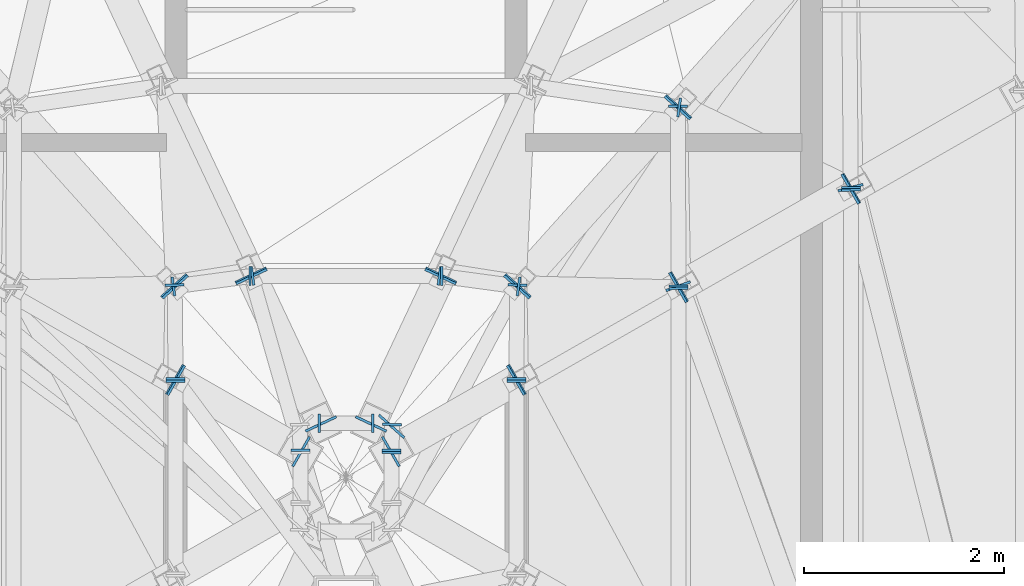
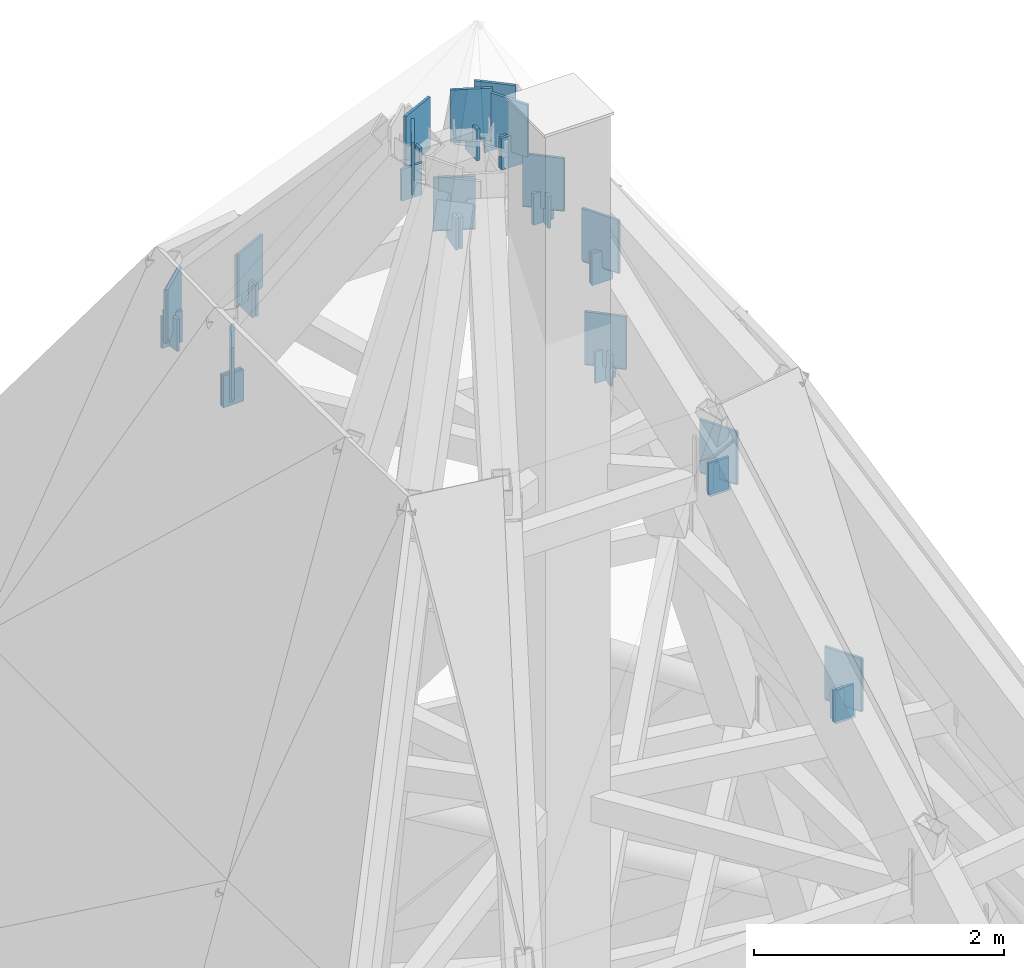
# One storey, part 22 of 30: 49 plates.
"""IFC4 building model written with IfcOpenShell, lengths in metres."""

import ifcopenshell
import ifcopenshell.guid

model = None  # the IFC model being written
_history = None  # IfcOwnerHistory: only IFC2X3 demands one
_inside = {}  # id of a spatial element -> (the spatial element, [elements in it])
_under = {}  # id of a project, library or spatial element -> (it, [spatial elements below it])
_declared = {}  # id of a project -> (the project, [libraries it declares])
_typed = {}  # id of a type object -> (the type object, [elements of that type])
_made_of = {}  # id of a material, layer set ... -> (it, [elements and type objects made of it])


def new_model(schema):
    """Start an empty IFC model of exactly this schema.

    Asked for "IFC4X3", IfcOpenShell would pick the latest addendum, in which some entities
    have other attributes; the version numbers below select the first issue.
    IFC2X3 requires an IfcOwnerHistory on every rooted entity: one is made here for all.
    """
    global model, _history
    if schema == "IFC4X3":
        model = ifcopenshell.file(schema_version=(4, 3, 0, 0))
    else:
        model = ifcopenshell.file(schema=schema)
    _inside.clear()
    _under.clear()
    _declared.clear()
    _typed.clear()
    _made_of.clear()
    _history = None
    if model.schema == "IFC2X3":
        org = make("IfcOrganization", Name="unknown")
        user = make(
            "IfcPersonAndOrganization",
            ThePerson=make("IfcPerson", FamilyName="unknown"),
            TheOrganization=org,
        )
        app = make(
            "IfcApplication",
            ApplicationDeveloper=org,
            Version="unknown",
            ApplicationFullName="unknown",
            ApplicationIdentifier="unknown",
        )
        _history = make(
            "IfcOwnerHistory",
            OwningUser=user,
            OwningApplication=app,
            ChangeAction="ADDED",
            CreationDate=0,
        )
    return model


def make(cls, **values):
    """One entity of the class cls with the attributes given. An attribute that is None is left unset."""
    return model.create_entity(
        cls, **{name: value for name, value in values.items() if value is not None}
    )


def rooted(cls, **values):
    """An entity with a GlobalId (a new one), such as an element, a storey or a relation."""
    return make(cls, GlobalId=ifcopenshell.guid.new(), OwnerHistory=_history, **values)


def si_unit(unit_type, name, prefix=None):
    """IfcSIUnit, for example si_unit("LENGTHUNIT", "METRE", prefix="MILLI")."""
    return make("IfcSIUnit", UnitType=unit_type, Prefix=prefix, Name=name)


def assignment(units):
    """IfcUnitAssignment: the units of a project."""
    return None if units is None else make("IfcUnitAssignment", Units=units)


def point(xyz):
    """IfcCartesianPoint."""
    return None if xyz is None else make("IfcCartesianPoint", Coordinates=xyz)


def direction(xyz):
    """IfcDirection."""
    return None if xyz is None else make("IfcDirection", DirectionRatios=xyz)


def frame(location, z_axis=None, x_axis=None):
    """IfcAxis2Placement3D, a coordinate frame: its origin and axes. An axis left out is left unset."""
    return make(
        "IfcAxis2Placement3D",
        Location=point(location),
        Axis=direction(z_axis),
        RefDirection=direction(x_axis),
    )


def frame_2d(location, x_axis=None):
    """IfcAxis2Placement2D, a coordinate frame in the plane: its origin and x axis."""
    return make(
        "IfcAxis2Placement2D", Location=point(location), RefDirection=direction(x_axis)
    )


def origin():
    """The frame at (0, 0, 0) with its axes left unset."""
    return frame((0.0, 0.0, 0.0))


def origin_2d():
    """The frame at (0, 0) in the plane with its x axis left unset."""
    return frame_2d((0.0, 0.0))


def place(relative_to, where):
    """IfcLocalPlacement: puts the frame where relative to a parent placement (None: the world)."""
    return make(
        "IfcLocalPlacement", PlacementRelTo=relative_to, RelativePlacement=where
    )


def context(
    kind, dimensions, precision=None, world=None, true_north=None, identifier=None
):
    """IfcGeometricRepresentationContext, for example the 3D "Model" context."""
    return make(
        "IfcGeometricRepresentationContext",
        ContextIdentifier=identifier,
        ContextType=kind,
        CoordinateSpaceDimension=dimensions,
        Precision=precision,
        WorldCoordinateSystem=world,
        TrueNorth=true_north,
    )


def subcontext(parent, identifier, kind, view, scale=None):
    """IfcGeometricRepresentationSubContext, for example "Body" below "Model"."""
    return make(
        "IfcGeometricRepresentationSubContext",
        ContextIdentifier=identifier,
        ContextType=kind,
        ParentContext=parent,
        TargetScale=scale,
        TargetView=view,
    )


def project(units=None, contexts=None):
    """IfcProject with its units and contexts."""
    return rooted(
        "IfcProject",
        Name="project",
        RepresentationContexts=contexts,
        UnitsInContext=assignment(units),
    )


def spatial(cls, under=None, at=None, **own):
    """A site, building, storey or space (cls), placed at a placement, below another one or the project."""
    s = rooted(cls, ObjectPlacement=at, **own)
    if under is not None:
        _under.setdefault(under.id(), (under, []))[1].append(s)
    return s


def profile(cls, at=None, kind="AREA", **sizes):
    """A parametric profile (cls). Its sizes go by their IFC names, for example OverallWidth=200.0."""
    return make(cls, ProfileType=kind, Position=at, **sizes)


def rectangle(**sizes):
    """IfcRectangleProfileDef."""
    return profile("IfcRectangleProfileDef", **sizes)


def extrude(swept, where, along, depth):
    """IfcExtrudedAreaSolid: the profile swept, set in the frame where, extruded along a direction by depth."""
    return make(
        "IfcExtrudedAreaSolid",
        SweptArea=swept,
        Position=where,
        ExtrudedDirection=direction(along),
        Depth=depth,
    )


def shape(context_of_items, identifier, shape_type, items):
    """IfcShapeRepresentation: the items that make up one representation, for example the "Body"."""
    return make(
        "IfcShapeRepresentation",
        ContextOfItems=context_of_items,
        RepresentationIdentifier=identifier,
        RepresentationType=shape_type,
        Items=items,
    )


def material(Name=None, Category=None):
    """IfcMaterial."""
    return make("IfcMaterial", Name=Name, Category=Category)


def layer(
    of_material, thickness, ventilated=None, Name=None, Category=None, Priority=None
):
    """IfcMaterialLayer: one layer of a wall or slab, of a material (None: an air gap)."""
    return make(
        "IfcMaterialLayer",
        Material=of_material,
        LayerThickness=thickness,
        IsVentilated=ventilated,
        Name=Name,
        Category=Category,
        Priority=Priority,
    )


def layer_set(layers, Name=None):
    """IfcMaterialLayerSet."""
    return make("IfcMaterialLayerSet", MaterialLayers=layers, LayerSetName=Name)


def made_of(thing, what):
    """Note that an element or type object is made of a material, layer set ...; save() writes the relation."""
    if what is not None:
        _made_of.setdefault(what.id(), (what, []))[1].append(thing)
    return thing


def type_object(cls, material=None, **own):
    """A type object (cls), such as IfcWallType, which elements share."""
    return made_of(rooted(cls, **own), material)


def element(
    cls,
    number,
    at=None,
    inside=None,
    cuts=None,
    type_object=None,
    material=None,
    context=None,
    identifier="Body",
    shape_type=None,
    held_by="IfcProductDefinitionShape",
    body=None,
    shapes=None,
    **own,
):
    """One element of the class cls, such as IfcWall. Its Tag is "e" and its number.

    at: its placement. inside: the storey or other place that contains it. cuts: it is an
    opening in that element (IfcRelVoidsElement). A single representation is given by context,
    identifier, shape_type and body (its items); several are given by shapes. held_by: the class
    of the entity that holds the representations. save() writes the other relations.
    """
    e = rooted(cls, Tag="e%d" % number, ObjectPlacement=at, **own)
    if body is not None:
        shapes = [shape(context, identifier, shape_type, body)]
    if shapes is not None:
        e.Representation = make(held_by, Representations=shapes)
    if inside is not None:
        _inside.setdefault(inside.id(), (inside, []))[1].append(e)
    if cuts is not None:
        rooted(
            "IfcRelVoidsElement", RelatingBuildingElement=cuts, RelatedOpeningElement=e
        )
    if type_object is not None:
        _typed.setdefault(type_object.id(), (type_object, []))[1].append(e)
    return made_of(e, material)


def aggregate(whole, parts):
    """IfcRelAggregates: a whole, such as a stair, and the parts it consists of."""
    return rooted("IfcRelAggregates", RelatingObject=whole, RelatedObjects=parts)


def save(model, path):
    """Write the relations noted so far, then the file.

    IfcRelAggregates (storeys below a building ...), IfcRelContainedInSpatialStructure (elements
    in a storey), IfcRelDefinesByType, IfcRelAssociatesMaterial and IfcRelDeclares: one each for
    every whole, place, type object, material and project.
    """
    for whole, parts in _under.values():
        aggregate(whole, parts)
    for where, things in _inside.values():
        rooted(
            "IfcRelContainedInSpatialStructure",
            RelatedElements=things,
            RelatingStructure=where,
        )
    for kind, things in _typed.values():
        rooted("IfcRelDefinesByType", RelatedObjects=things, RelatingType=kind)
    for what, things in _made_of.values():
        rooted("IfcRelAssociatesMaterial", RelatedObjects=things, RelatingMaterial=what)
    for by, libraries in _declared.values():
        rooted("IfcRelDeclares", RelatingContext=by, RelatedDefinitions=libraries)
    model.write(path)


model = new_model("IFC4")

# Units and contexts
model_context = context("Model", 3, precision=1e-05, world=origin(), true_north=direction((0.0, 1.0)))
body_context = subcontext(model_context, "Body", "Model", "MODEL_VIEW")
ifc_project = project(units=[si_unit("LENGTHUNIT", "METRE"), si_unit("AREAUNIT", "SQUARE_METRE"), si_unit("VOLUMEUNIT", "CUBIC_METRE"), si_unit("PLANEANGLEUNIT", "RADIAN"), si_unit("MASSUNIT", "GRAM", prefix="KILO")], contexts=[model_context])

# Site, building, storey
site_placement = place(None, origin())
site = spatial("IfcSite", under=ifc_project, at=site_placement, CompositionType="ELEMENT")
building_placement = place(site_placement, origin())
building = spatial("IfcBuilding", under=site, at=building_placement, Name="Haolan Belvedere Tower", CompositionType="ELEMENT")
storey_placement = place(building_placement, frame((0.0, 0.0, 333.0)))
storey = spatial("IfcBuildingStorey", under=building, at=storey_placement, Name="L83", CompositionType="ELEMENT", Elevation=333.0)

# Plates
ifc_material = material(Name="Steel Q355B", Category="steel")
ifc_layer = layer(ifc_material, 0.02490234375, Name="Steel Q355B")
ifc_layer_set = layer_set([ifc_layer], Name="Steel Q355B")
plate_type = type_object("IfcPlateType", Name="PL-CAP-25", PredefinedType="SHEET", material=ifc_layer_set)
plate_1_placement = place(storey_placement, frame((43.454833984375, 39.5009765625, 14.64697265625), z_axis=(0.0, 0.0, 1.0), x_axis=(-1.0, 0.0, 0.0)))
element("IfcPlate", 1, at=plate_1_placement, inside=storey, type_object=plate_type, Name="Hollow steel end-cap plate CRN-RING-T3-05-CAP1", PredefinedType="SHEET", context=body_context, shape_type="SweptSolid", body=[
    extrude(rectangle(XDim=0.18994140625, YDim=0.02490234375, at=origin_2d()), origin(), (0.0, 0.0, 1.0), 0.31005859375),
])
plate_2_placement = place(storey_placement, frame((43.4521484375, 39.49951171875, 14.7080078125), z_axis=(0.0, 0.0, 1.0), x_axis=(-0.968959664166, -0.247218869058, 0.0)))
element("IfcPlate", 2, at=plate_2_placement, inside=storey, type_object=plate_type, Name="Hollow steel end-cap plate CRN-DIAG-T3-05-CAP1", PredefinedType="SHEET", context=body_context, shape_type="SweptSolid", body=[
    extrude(rectangle(XDim=0.259033203125, YDim=0.02490234375, at=origin_2d()), origin(), (0.0, 0.0, 1.0), 0.279052734375),
])
plate_3_placement = place(storey_placement, frame((43.44970703125, 39.485595703125, 14.7978515625), z_axis=(0.0, 0.0, 1.0), x_axis=(0.496140737146, -0.868242114242, 0.0)))
element("IfcPlate", 3, at=plate_3_placement, inside=storey, type_object=plate_type, Name="Hollow steel end-cap plate CRN-RAF-T3-06-CAP1", PredefinedType="SHEET", context=body_context, shape_type="SweptSolid", body=[
    extrude(rectangle(XDim=0.340087890625, YDim=0.02490234375, at=origin_2d()), origin(), (0.0, 0.0, 1.0), 0.510009765625),
])
for number, where, z_axis, x_axis, name in (
    (4, (43.455078125, 39.47607421875, 14.64697265625), (0.0, 0.0, 1.0), (0.99996461524, 0.00841238777, 0.0), "Hollow steel end-cap plate CRN-RING-T3-06-CAP0"),
    (5, (41.7294921875, 38.514892578125, 18.06884765625), (0.0, 0.0, 1.0), (-1.0, 0.0, 0.0), "Hollow steel end-cap plate CRN-RING-T4-05-CAP1"),
):
    element("IfcPlate", number, at=place(storey_placement, frame(where, z_axis=z_axis, x_axis=x_axis)), inside=storey, type_object=plate_type, Name=name, PredefinedType="SHEET", context=body_context, shape_type="SweptSolid", body=[
        extrude(rectangle(XDim=0.18994140625, YDim=0.02490234375, at=origin_2d()), origin(), (0.0, 0.0, 1.0), 0.31005859375),
    ])
plate_4_placement = place(storey_placement, frame((41.725830078125, 38.512451171875, 18.130859375), z_axis=(0.0, 0.0, 1.0), x_axis=(-0.940839377288, -0.338852867988, 0.0)))
element("IfcPlate", 6, at=plate_4_placement, inside=storey, type_object=plate_type, Name="Hollow steel end-cap plate CRN-DIAG-T4-05-CAP1", PredefinedType="SHEET", context=body_context, shape_type="SweptSolid", body=[
    extrude(rectangle(XDim=0.259033203125, YDim=0.02490234375, at=origin_2d()), origin(), (0.0, 0.0, 1.0), 0.279052734375),
])
for number, where, z_axis, x_axis, name in (
    (7, (43.46044921875, 39.49169921875, 14.7763671875), (0.0, 0.0, 1.0), (-0.496140737146, 0.868242114242, 0.0), "Hollow steel end-cap plate CRN-RAF-T4-06-CAP0"),
    (8, (41.723876953125, 38.49951171875, 18.2197265625), (0.0, 0.0, 1.0), (0.496140737146, -0.868242114242, 0.0), "Hollow steel end-cap plate CRN-RAF-T4-06-CAP1"),
):
    element("IfcPlate", number, at=place(storey_placement, frame(where, z_axis=z_axis, x_axis=x_axis)), inside=storey, type_object=plate_type, Name=name, PredefinedType="SHEET", context=body_context, shape_type="SweptSolid", body=[
        extrude(rectangle(XDim=0.340087890625, YDim=0.02490234375, at=origin_2d()), origin(), (0.0, 0.0, 1.0), 0.510009765625),
    ])
for number, where, z_axis, x_axis, name in (
    (9, (41.7294921875, 38.489990234375, 18.06884765625), (0.0, 0.0, 1.0), (0.999994616806, 0.003281213106, 0.0), "Hollow steel end-cap plate CRN-RING-T4-06-CAP0"),
    (10, (41.723388671875, 40.31640625, 18.06884765625), (0.0, 0.0, 1.0), (-0.999994616806, -0.003281213106, 0.0), "Hollow steel end-cap plate CRN-RING-T4-06-CAP1"),
):
    element("IfcPlate", number, at=place(storey_placement, frame(where, z_axis=z_axis, x_axis=x_axis)), inside=storey, type_object=plate_type, Name=name, PredefinedType="SHEET", context=body_context, shape_type="SweptSolid", body=[
        extrude(rectangle(XDim=0.18994140625, YDim=0.02490234375, at=origin_2d()), origin(), (0.0, 0.0, 1.0), 0.31005859375),
    ])
plate_5_placement = place(storey_placement, frame((41.718505859375, 40.29833984375, 18.21875), z_axis=(0.0, 0.0, 1.0), x_axis=(0.744288234024, -0.667858536438, 0.0)))
element("IfcPlate", 11, at=plate_5_placement, inside=storey, type_object=plate_type, Name="Hollow steel end-cap plate CRN-RAF-T4-07-CAP1", PredefinedType="SHEET", context=body_context, shape_type="SweptSolid", body=[
    extrude(rectangle(XDim=0.340087890625, YDim=0.02490234375, at=origin_2d()), origin(), (0.0, 0.0, 1.0), 0.510009765625),
])
for number, where, z_axis, x_axis, name in (
    (12, (41.73583984375, 40.302001953125, 18.06884765625), (0.0, 0.0, 1.0), (0.144166223028, 0.989553485234, 0.0), "Hollow steel end-cap plate CRN-RING-T4-07-CAP0"),
    (13, (40.10546875, 37.5869140625, 21.262939453125), (0.0, 0.0, 1.0), (-1.0, 0.0, 0.0), "Hollow steel end-cap plate CRN-RING-T5-05-CAP1"),
):
    element("IfcPlate", number, at=place(storey_placement, frame(where, z_axis=z_axis, x_axis=x_axis)), inside=storey, type_object=plate_type, Name=name, PredefinedType="SHEET", context=body_context, shape_type="SweptSolid", body=[
        extrude(rectangle(XDim=0.18994140625, YDim=0.02490234375, at=origin_2d()), origin(), (0.0, 0.0, 1.0), 0.31005859375),
    ])
for number, where, z_axis, x_axis, name in (
    (14, (41.73486328125, 38.505615234375, 18.1982421875), (0.0, 0.0, 1.0), (-0.496140737146, 0.868242114242, 0.0), "Hollow steel end-cap plate CRN-RAF-T5-06-CAP0"),
    (15, (40.099853515625, 37.5712890625, 21.41357421875), (0.0, 0.0, 1.0), (0.496140737146, -0.868242114242, 0.0), "Hollow steel end-cap plate CRN-RAF-T5-06-CAP1"),
):
    element("IfcPlate", number, at=place(storey_placement, frame(where, z_axis=z_axis, x_axis=x_axis)), inside=storey, type_object=plate_type, Name=name, PredefinedType="SHEET", context=body_context, shape_type="SweptSolid", body=[
        extrude(rectangle(XDim=0.340087890625, YDim=0.02490234375, at=origin_2d()), origin(), (0.0, 0.0, 1.0), 0.510009765625),
    ])
for number, where, z_axis, x_axis, name in (
    (16, (40.105224609375, 37.56201171875, 21.262939453125), (0.0, 0.0, 1.0), (0.99994201831, -0.010768473355, 0.0), "Hollow steel end-cap plate CRN-RING-T5-06-CAP0"),
    (17, (40.11572265625, 38.5244140625, 21.262939453125), (0.0, 0.0, 1.0), (-0.99994201831, 0.010768473355, 0.0), "Hollow steel end-cap plate CRN-RING-T5-06-CAP1"),
):
    element("IfcPlate", number, at=place(storey_placement, frame(where, z_axis=z_axis, x_axis=x_axis)), inside=storey, type_object=plate_type, Name=name, PredefinedType="SHEET", context=body_context, shape_type="SweptSolid", body=[
        extrude(rectangle(XDim=0.18994140625, YDim=0.02490234375, at=origin_2d()), origin(), (0.0, 0.0, 1.0), 0.31005859375),
    ])
for number, where, z_axis, x_axis, name in (
    (18, (41.728515625, 40.309326171875, 18.19873046875), (0.0, 0.0, 1.0), (-0.744288234024, 0.667858536438, 0.0), "Hollow steel end-cap plate CRN-RAF-T5-07-CAP0"),
    (19, (40.1103515625, 38.506103515625, 21.4130859375), (0.0, 0.0, 1.0), (0.744288234024, -0.667858536438, 0.0), "Hollow steel end-cap plate CRN-RAF-T5-07-CAP1"),
):
    element("IfcPlate", number, at=place(storey_placement, frame(where, z_axis=z_axis, x_axis=x_axis)), inside=storey, type_object=plate_type, Name=name, PredefinedType="SHEET", context=body_context, shape_type="SweptSolid", body=[
        extrude(rectangle(XDim=0.340087890625, YDim=0.02490234375, at=origin_2d()), origin(), (0.0, 0.0, 1.0), 0.510009765625),
    ])
for number, where, z_axis, x_axis, name in (
    (20, (40.1279296875, 38.510009765625, 21.262939453125), (0.0, 0.0, 1.0), (0.133709445483, 0.991020577076, 0.0), "Hollow steel end-cap plate CRN-RING-T5-07-CAP0"),
    (21, (39.3359375, 38.616943359375, 21.262939453125), (0.0, 0.0, 1.0), (-0.133709445483, -0.991020577076, 0.0), "Hollow steel end-cap plate CRN-RING-T5-07-CAP1"),
):
    element("IfcPlate", number, at=place(storey_placement, frame(where, z_axis=z_axis, x_axis=x_axis)), inside=storey, type_object=plate_type, Name=name, PredefinedType="SHEET", context=body_context, shape_type="SweptSolid", body=[
        extrude(rectangle(XDim=0.18994140625, YDim=0.02490234375, at=origin_2d()), origin(), (0.0, 0.0, 1.0), 0.31005859375),
    ])
plate_6_placement = place(storey_placement, frame((39.345458984375, 38.609130859375, 21.41357421875), z_axis=(0.0, 0.0, 1.0), x_axis=(0.904819621078, -0.425795083711, 0.0)))
element("IfcPlate", 22, at=plate_6_placement, inside=storey, type_object=plate_type, Name="Hollow steel end-cap plate CRN-RAF-T5-08-CAP1", PredefinedType="SHEET", context=body_context, shape_type="SweptSolid", body=[
    extrude(rectangle(XDim=0.340087890625, YDim=0.02490234375, at=origin_2d()), origin(), (0.0, 0.0, 1.0), 0.510009765625),
])
for number, where, z_axis, x_axis, name in (
    (23, (39.36083984375, 38.615234375, 21.262939453125), (0.0, 0.0, 1.0), (0.0, 1.0, 0.0), "Hollow steel end-cap plate CRN-RING-T5-08-CAP0"),
    (24, (37.439208984375, 38.615234375, 21.262939453125), (0.0, 0.0, 1.0), (0.0, -1.0, 0.0), "Hollow steel end-cap plate CRN-RING-T5-08-CAP1"),
):
    element("IfcPlate", number, at=place(storey_placement, frame(where, z_axis=z_axis, x_axis=x_axis)), inside=storey, type_object=plate_type, Name=name, PredefinedType="SHEET", context=body_context, shape_type="SweptSolid", body=[
        extrude(rectangle(XDim=0.18994140625, YDim=0.02490234375, at=origin_2d()), origin(), (0.0, 0.0, 1.0), 0.31005859375),
    ])
plate_7_placement = place(storey_placement, frame((37.45458984375, 38.609130859375, 21.41357421875), z_axis=(0.0, 0.0, 1.0), x_axis=(0.904819621078, 0.425795083711, 0.0)))
element("IfcPlate", 25, at=plate_7_placement, inside=storey, type_object=plate_type, Name="Hollow steel end-cap plate CRN-RAF-T5-09-CAP1", PredefinedType="SHEET", context=body_context, shape_type="SweptSolid", body=[
    extrude(rectangle(XDim=0.340087890625, YDim=0.02490234375, at=origin_2d()), origin(), (0.0, 0.0, 1.0), 0.510009765625),
])
for number, where, z_axis, x_axis, name in (
    (26, (37.464111328125, 38.616943359375, 21.262939453125), (0.0, 0.0, 1.0), (-0.133709445483, 0.991020577076, 0.0), "Hollow steel end-cap plate CRN-RING-T5-09-CAP0"),
    (27, (36.672119140625, 38.510009765625, 21.262939453125), (0.0, 0.0, 1.0), (0.133709445483, -0.991020577076, 0.0), "Hollow steel end-cap plate CRN-RING-T5-09-CAP1"),
):
    element("IfcPlate", number, at=place(storey_placement, frame(where, z_axis=z_axis, x_axis=x_axis)), inside=storey, type_object=plate_type, Name=name, PredefinedType="SHEET", context=body_context, shape_type="SweptSolid", body=[
        extrude(rectangle(XDim=0.18994140625, YDim=0.02490234375, at=origin_2d()), origin(), (0.0, 0.0, 1.0), 0.31005859375),
    ])
plate_8_placement = place(storey_placement, frame((36.689453125, 38.506103515625, 21.4130859375), z_axis=(0.0, 0.0, 1.0), x_axis=(0.744288234024, 0.667858536438, 0.0)))
element("IfcPlate", 28, at=plate_8_placement, inside=storey, type_object=plate_type, Name="Hollow steel end-cap plate CRN-RAF-T5-10-CAP1", PredefinedType="SHEET", context=body_context, shape_type="SweptSolid", body=[
    extrude(rectangle(XDim=0.340087890625, YDim=0.02490234375, at=origin_2d()), origin(), (0.0, 0.0, 1.0), 0.510009765625),
])
for number, where, z_axis, x_axis, name in (
    (29, (36.684326171875, 38.5244140625, 21.262939453125), (0.0, 0.0, 1.0), (-0.99994201831, -0.010768473355, 0.0), "Hollow steel end-cap plate CRN-RING-T5-10-CAP0"),
    (30, (36.69482421875, 37.56201171875, 21.262939453125), (0.0, 0.0, 1.0), (0.99994201831, 0.010768473355, 0.0), "Hollow steel end-cap plate CRN-RING-T5-10-CAP1"),
):
    element("IfcPlate", number, at=place(storey_placement, frame(where, z_axis=z_axis, x_axis=x_axis)), inside=storey, type_object=plate_type, Name=name, PredefinedType="SHEET", context=body_context, shape_type="SweptSolid", body=[
        extrude(rectangle(XDim=0.18994140625, YDim=0.02490234375, at=origin_2d()), origin(), (0.0, 0.0, 1.0), 0.31005859375),
    ])
plate_9_placement = place(storey_placement, frame((36.7001953125, 37.5712890625, 21.41357421875), z_axis=(0.0, 0.0, 1.0), x_axis=(0.496140737146, 0.868242114242, 0.0)))
element("IfcPlate", 31, at=plate_9_placement, inside=storey, type_object=plate_type, Name="Hollow steel end-cap plate CRN-RAF-T5-11-CAP1", PredefinedType="SHEET", context=body_context, shape_type="SweptSolid", body=[
    extrude(rectangle(XDim=0.340087890625, YDim=0.02490234375, at=origin_2d()), origin(), (0.0, 0.0, 1.0), 0.510009765625),
])
for number, where, z_axis, x_axis, name in (
    (32, (36.694580078125, 37.5869140625, 21.262939453125), (0.0, 0.0, 1.0), (-1.0, 0.0, 0.0), "Hollow steel end-cap plate CRN-RING-T5-11-CAP0"),
    (33, (38.85546875, 36.872802734375, 23.26171875), (0.0, 0.0, 1.0), (-1.0, 0.0, 0.0), "Hollow steel end-cap plate CRN-RING-T6-05-CAP1"),
):
    element("IfcPlate", number, at=place(storey_placement, frame(where, z_axis=z_axis, x_axis=x_axis)), inside=storey, type_object=plate_type, Name=name, PredefinedType="SHEET", context=body_context, shape_type="SweptSolid", body=[
        extrude(rectangle(XDim=0.18994140625, YDim=0.02490234375, at=origin_2d()), origin(), (0.0, 0.0, 1.0), 0.31005859375),
    ])
for number, where, z_axis, x_axis, name in (
    (34, (40.11181640625, 37.578125, 21.39306640625), (0.0, 0.0, 1.0), (-0.496140737146, 0.868242114242, 0.0), "Hollow steel end-cap plate CRN-RAF-T6-06-CAP0"),
    (35, (38.84912109375, 36.856689453125, 23.412109375), (0.0, 0.0, 1.0), (0.496140737146, -0.868242114242, 0.0), "Hollow steel end-cap plate CRN-RAF-T6-06-CAP1"),
):
    element("IfcPlate", number, at=place(storey_placement, frame(where, z_axis=z_axis, x_axis=x_axis)), inside=storey, type_object=plate_type, Name=name, PredefinedType="SHEET", context=body_context, shape_type="SweptSolid", body=[
        extrude(rectangle(XDim=0.340087890625, YDim=0.02490234375, at=origin_2d()), origin(), (0.0, 0.0, 1.0), 0.510009765625),
    ])
for number, where, z_axis, x_axis, name in (
    (36, (38.85498046875, 36.84765625, 23.26171875), (0.0, 0.0, 1.0), (0.999623640763, -0.027433133752, 0.0), "Hollow steel end-cap plate CRN-RING-T6-06-CAP0"),
    (37, (38.86279296875, 37.127685546875, 23.26171875), (0.0, 0.0, 1.0), (-0.999623640763, 0.027433133752, 0.0), "Hollow steel end-cap plate CRN-RING-T6-06-CAP1"),
):
    element("IfcPlate", number, at=place(storey_placement, frame(where, z_axis=z_axis, x_axis=x_axis)), inside=storey, type_object=plate_type, Name=name, PredefinedType="SHEET", context=body_context, shape_type="SweptSolid", body=[
        extrude(rectangle(XDim=0.18994140625, YDim=0.02490234375, at=origin_2d()), origin(), (0.0, 0.0, 1.0), 0.31005859375),
    ])
for number, where, z_axis, x_axis, name in (
    (38, (40.12109375, 38.51806640625, 21.39404296875), (0.0, 0.0, 1.0), (-0.744288234024, 0.667858536438, 0.0), "Hollow steel end-cap plate CRN-RAF-T6-07-CAP0"),
    (39, (38.856689453125, 37.10888671875, 23.4111328125), (0.0, 0.0, 1.0), (0.744288234024, -0.667858536438, 0.0), "Hollow steel end-cap plate CRN-RAF-T6-07-CAP1"),
    (40, (39.351806640625, 38.62255859375, 21.39306640625), (0.0, 0.0, 1.0), (-0.904827052466, 0.425779291565, 0.0), "Hollow steel end-cap plate CRN-RAF-T6-08-CAP0"),
    (41, (38.651123046875, 37.133544921875, 23.41162109375), (0.0, 0.0, 1.0), (0.904827052466, -0.425779291565, 0.0), "Hollow steel end-cap plate CRN-RAF-T6-08-CAP1"),
):
    element("IfcPlate", number, at=place(storey_placement, frame(where, z_axis=z_axis, x_axis=x_axis)), inside=storey, type_object=plate_type, Name=name, PredefinedType="SHEET", context=body_context, shape_type="SweptSolid", body=[
        extrude(rectangle(XDim=0.340087890625, YDim=0.02490234375, at=origin_2d()), origin(), (0.0, 0.0, 1.0), 0.510009765625),
    ])
for number, where, z_axis, x_axis, name in (
    (42, (38.6669921875, 37.140625, 23.26171875), (0.0, 0.0, 1.0), (0.0, 1.0, 0.0), "Hollow steel end-cap plate CRN-RING-T6-08-CAP0"),
    (43, (38.133056640625, 37.140625, 23.26171875), (0.0, 0.0, 1.0), (0.0, -1.0, 0.0), "Hollow steel end-cap plate CRN-RING-T6-08-CAP1"),
):
    element("IfcPlate", number, at=place(storey_placement, frame(where, z_axis=z_axis, x_axis=x_axis)), inside=storey, type_object=plate_type, Name=name, PredefinedType="SHEET", context=body_context, shape_type="SweptSolid", body=[
        extrude(rectangle(XDim=0.18994140625, YDim=0.02490234375, at=origin_2d()), origin(), (0.0, 0.0, 1.0), 0.31005859375),
    ])
for number, where, z_axis, x_axis, name in (
    (44, (37.4482421875, 38.62255859375, 21.39306640625), (0.0, 0.0, 1.0), (-0.904827052466, -0.425779291565, 0.0), "Hollow steel end-cap plate CRN-RAF-T6-09-CAP0"),
    (45, (38.14892578125, 37.133544921875, 23.41162109375), (0.0, 0.0, 1.0), (0.904827052466, 0.425779291565, 0.0), "Hollow steel end-cap plate CRN-RAF-T6-09-CAP1"),
    (46, (36.6787109375, 38.51806640625, 21.39404296875), (0.0, 0.0, 1.0), (-0.744288234024, -0.667858536438, 0.0), "Hollow steel end-cap plate CRN-RAF-T6-10-CAP0"),
    (47, (36.688232421875, 37.578125, 21.39306640625), (0.0, 0.0, 1.0), (-0.496140737146, -0.868242114242, 0.0), "Hollow steel end-cap plate CRN-RAF-T6-11-CAP0"),
    (48, (37.950927734375, 36.856689453125, 23.412109375), (0.0, 0.0, 1.0), (0.496140737146, 0.868242114242, 0.0), "Hollow steel end-cap plate CRN-RAF-T6-11-CAP1"),
):
    element("IfcPlate", number, at=place(storey_placement, frame(where, z_axis=z_axis, x_axis=x_axis)), inside=storey, type_object=plate_type, Name=name, PredefinedType="SHEET", context=body_context, shape_type="SweptSolid", body=[
        extrude(rectangle(XDim=0.340087890625, YDim=0.02490234375, at=origin_2d()), origin(), (0.0, 0.0, 1.0), 0.510009765625),
    ])
plate_10_placement = place(storey_placement, frame((37.944580078125, 36.872802734375, 23.26171875), z_axis=(0.0, 0.0, 1.0), x_axis=(-1.0, 0.0, 0.0)))
element("IfcPlate", 49, at=plate_10_placement, inside=storey, type_object=plate_type, Name="Hollow steel end-cap plate CRN-RING-T6-11-CAP0", PredefinedType="SHEET", context=body_context, shape_type="SweptSolid", body=[
    extrude(rectangle(XDim=0.18994140625, YDim=0.02490234375, at=origin_2d()), origin(), (0.0, 0.0, 1.0), 0.31005859375),
])

save(model, "model.ifc")
